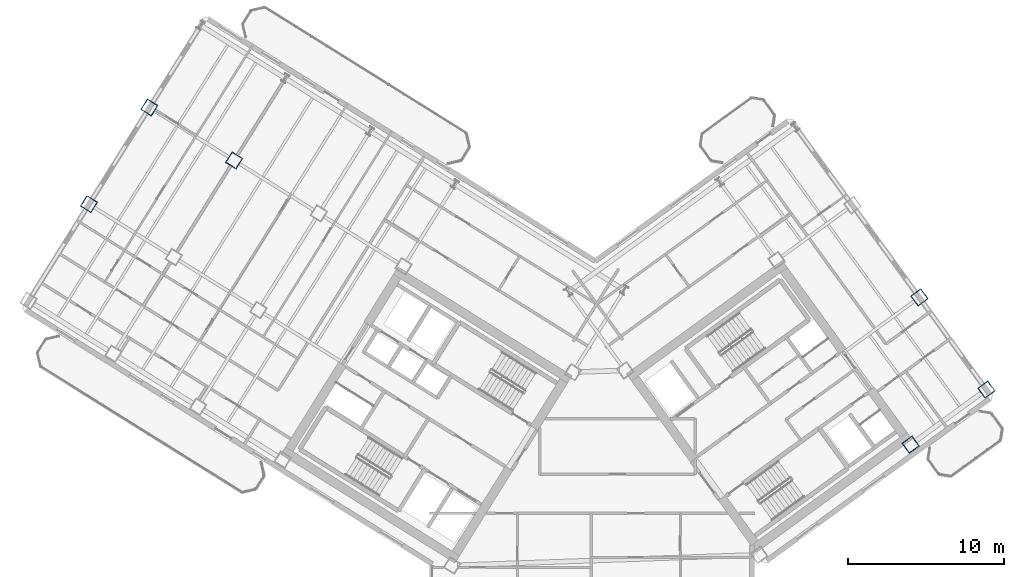
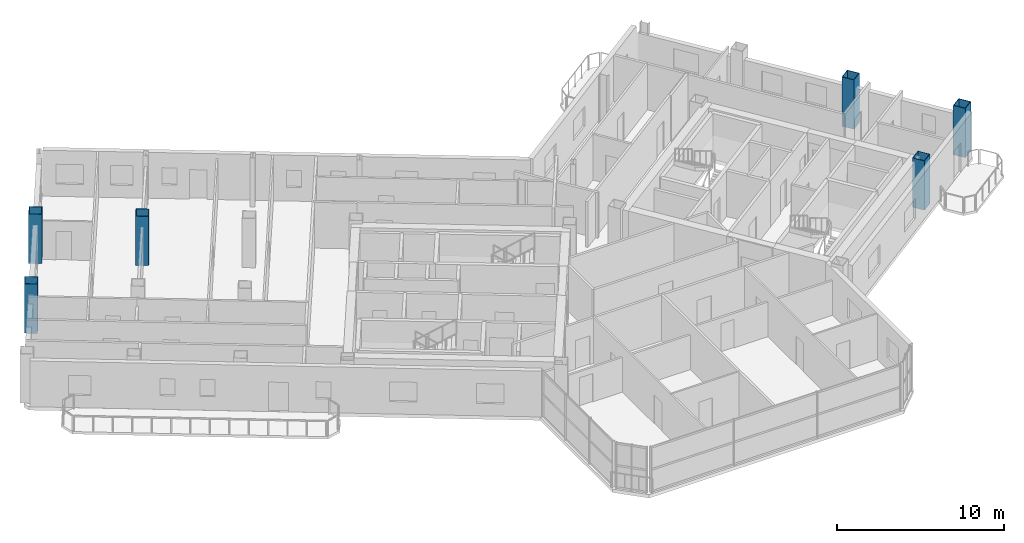
# One storey, part 2 of 20: 6 columns.
"""IFC4 building model written with IfcOpenShell, lengths in metres."""

from ifc_helpers import new_model, si_unit, direction, frame, origin, origin_2d, place, context, subcontext, project, spatial, hollow_rectangle, extrude, source, transform, mapped, material, material_profile, profile_set, type_object, element, save


model = new_model("IFC4")

# Units and contexts
model_context = context("Model", 3, precision=1e-05, world=origin(), true_north=direction((0.0, 1.0)))
body_context = subcontext(model_context, "Body", "Model", "MODEL_VIEW")
ifc_project = project(units=[si_unit("LENGTHUNIT", "METRE"), si_unit("AREAUNIT", "SQUARE_METRE"), si_unit("VOLUMEUNIT", "CUBIC_METRE"), si_unit("PLANEANGLEUNIT", "RADIAN"), si_unit("MASSUNIT", "GRAM", prefix="KILO")], contexts=[model_context])

# Site, building, storey
site_placement = place(None, origin())
site = spatial("IfcSite", under=ifc_project, at=site_placement, CompositionType="ELEMENT")
building_placement = place(site_placement, origin())
building = spatial("IfcBuilding", under=site, at=building_placement, Name="Tlacorven Tower", CompositionType="ELEMENT")
storey_placement = place(building_placement, frame((0.0, 0.0, 204.0)))
storey = spatial("IfcBuildingStorey", under=building, at=storey_placement, Name="L51", CompositionType="ELEMENT", Elevation=204.0)

# Columns
ifc_material = material(Name="Steel S460M", Category="steel")
ifc_material_profile = material_profile(ifc_material, hollow_rectangle(XDim=0.800048828125, YDim=0.800048828125, WallThickness=0.031982421875, at=origin_2d()), Name="BOX 800X800X32")
ifc_profile_set = profile_set([ifc_material_profile], Name="Steel S460M")
column_type = type_object("IfcColumnType", Name="COL-TWR-S3", PredefinedType="COLUMN", material=ifc_profile_set)
shared_shape = source(origin(), body_context, "Body", "SweptSolid", [
    extrude(hollow_rectangle(XDim=0.800048828125, YDim=0.800048828125, WallThickness=0.031982421875, at=origin_2d()), origin(), (0.0, 0.0, 1.0), 3.60009765625),
])
for number, where, z_axis, x_axis, name in (
    (1, (19.072998046875, 38.034423828125, 0.0), (0.0, 0.0, 1.0), (-0.848048096156, 0.529919264233, 0.0), "L51 column COL-L51-W5-2"),
    (2, (13.6455078125, 41.42578125, 0.0), (0.0, 0.0, 1.0), (-0.848048096156, 0.529919264233, 0.0), "L51 column COL-L51-W6-2"),
    (3, (9.777099609375, 35.235107421875, 0.0), (0.0, 0.0, 1.0), (-0.848048096156, 0.529919264233, 0.0), "L51 column COL-L51-W6-3"),
    (4, (62.41357421875, 19.826904296875, 0.0), (0.0, 0.0, 1.0), (0.809016994375, 0.587785252292, 0.0), "L51 column COL-L51-E3-1"),
    (5, (67.267822265625, 23.353515625, 0.0), (0.0, 0.0, 1.0), (0.809016994375, 0.587785252292, 0.0), "L51 column COL-L51-E4-1"),
    (6, (62.976806640625, 29.25927734375, 0.0), (0.0, 0.0, 1.0), (0.809016994375, 0.587785252292, 0.0), "L51 column COL-L51-E4-2"),
):
    element("IfcColumn", number, at=place(storey_placement, frame(where, z_axis=z_axis, x_axis=x_axis)), inside=storey, type_object=column_type, Name=name, PredefinedType="COLUMN", context=body_context, shape_type="MappedRepresentation", body=[
        mapped(shared_shape, transform((0.0, 0.0, 0.0), scale=1.0)),
    ])

save(model, "model.ifc")
